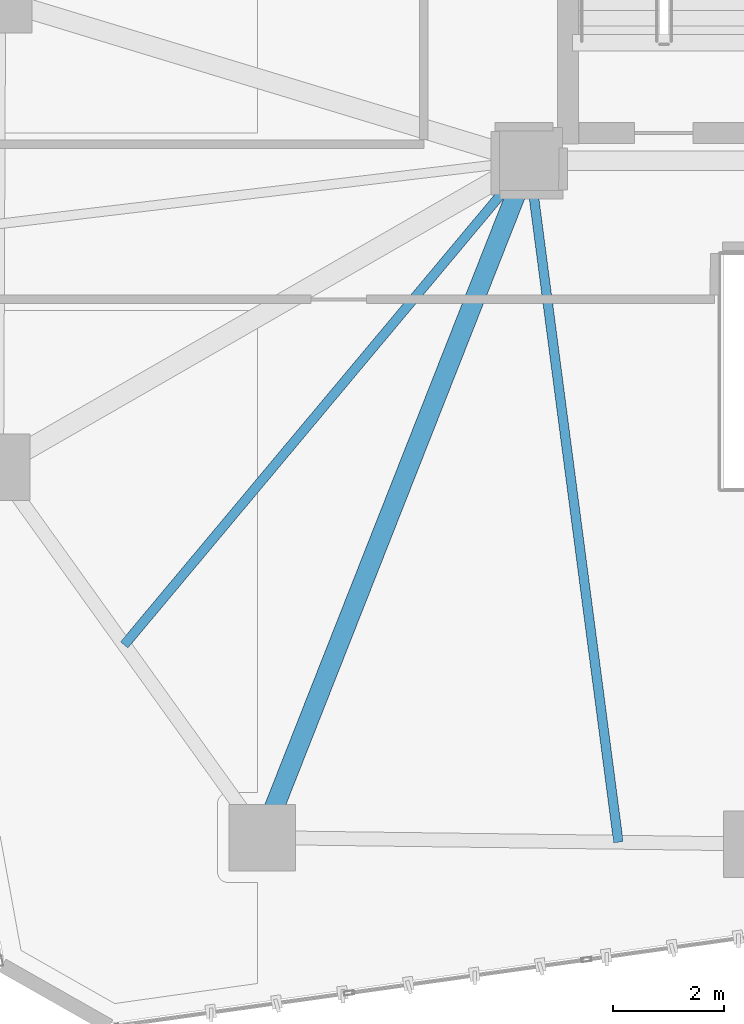
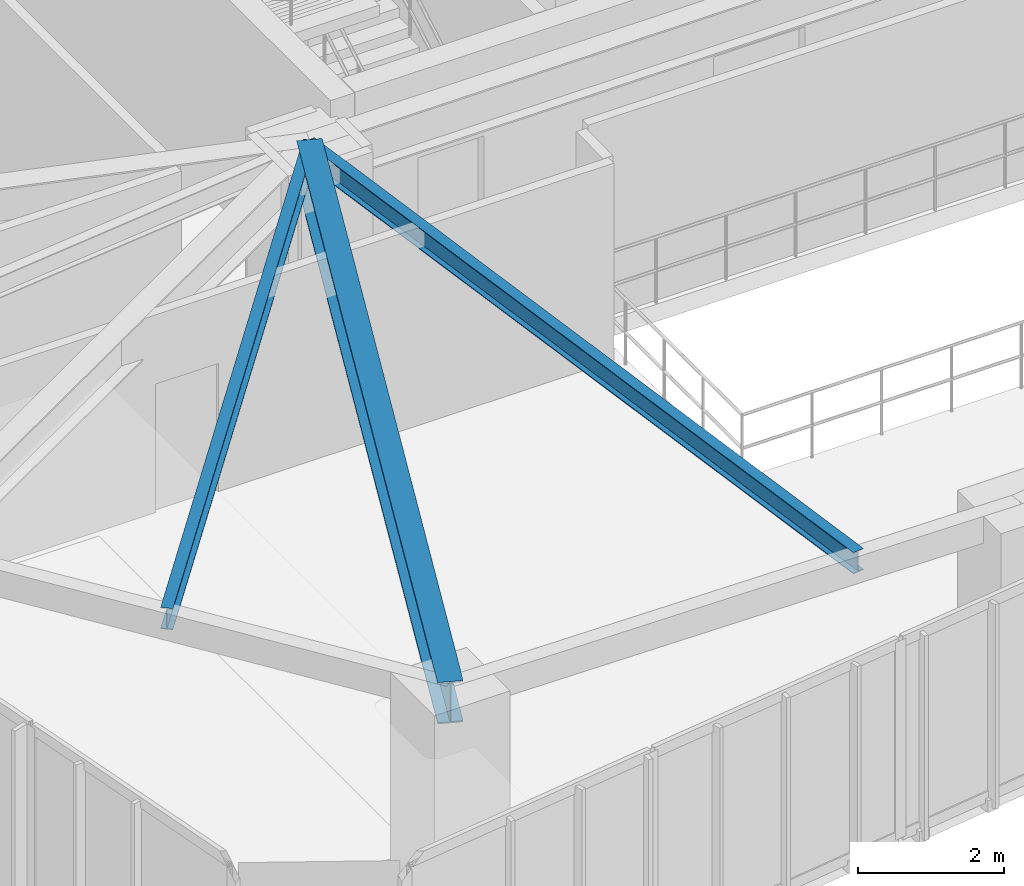
# One storey, part 5 of 24: 3 beams.
"""IFC4 building model written with IfcOpenShell, lengths in metres."""

from ifc_helpers import new_model, si_unit, direction, frame, origin, origin_2d, place, context, subcontext, project, spatial, i_section, extrude, material, material_profile, profile_set, type_object, element, save


model = new_model("IFC4")

# Units and contexts
model_context = context("Model", 3, precision=1e-05, world=origin(), true_north=direction((0.0, 1.0)))
body_context = subcontext(model_context, "Body", "Model", "MODEL_VIEW")
ifc_project = project(units=[si_unit("LENGTHUNIT", "METRE"), si_unit("AREAUNIT", "SQUARE_METRE"), si_unit("VOLUMEUNIT", "CUBIC_METRE"), si_unit("PLANEANGLEUNIT", "RADIAN"), si_unit("MASSUNIT", "GRAM", prefix="KILO")], contexts=[model_context])

# Site, building, storey
site_placement = place(None, origin())
site = spatial("IfcSite", under=ifc_project, at=site_placement, CompositionType="ELEMENT")
building_placement = place(site_placement, origin())
building = spatial("IfcBuilding", under=site, at=building_placement, Name="Talar Marvaseh", CompositionType="ELEMENT")
storey_placement = place(building_placement, frame((0.0, 0.0, 114.60009765625)))
storey = spatial("IfcBuildingStorey", under=building, at=storey_placement, Name="L29", CompositionType="ELEMENT", Elevation=114.60009765625)

# Beams
ifc_material = material(Name="Steel S355", Category="steel")
ifc_material_profile_1 = material_profile(ifc_material, i_section(OverallWidth=0.35498046875, OverallDepth=0.695068359375, WebThickness=0.015380859375, FlangeThickness=0.02490234375, at=origin_2d()), Name="W690x217")
ifc_profile_set_1 = profile_set([ifc_material_profile_1], Name="Steel S355")
beam_type_1 = type_object("IfcBeamType", Name="Zone 2 Radial Floor Girder W690x217", PredefinedType="BEAM", material=ifc_profile_set_1)
beam_1_placement = place(storey_placement, frame((13.89111328125, 13.299072265625, 2.96240234375), z_axis=(0.366683712786, 0.930345664136, 0.0), x_axis=(-0.930345664136, 0.366683712786, 0.0)))
element("IfcBeam", 1, at=beam_1_placement, inside=storey, type_object=beam_type_1, Name="L29 Zone 2 Radial Floor Girder W690x217", PredefinedType="BEAM", context=body_context, shape_type="SweptSolid", body=[
    extrude(i_section(OverallWidth=0.35498046875, OverallDepth=0.695068359375, WebThickness=0.015380859375, FlangeThickness=0.02490234375, at=origin_2d()), origin(), (0.0, 0.0, 1.0), 13.114501953125),
])
ifc_material_profile_2 = material_profile(ifc_material, i_section(OverallWidth=0.172119140625, OverallDepth=0.35791015625, WebThickness=0.0078125, FlangeThickness=0.01318359375, at=origin_2d()), Name="W360x57")
ifc_profile_set_2 = profile_set([ifc_material_profile_2], Name="Steel S355")
beam_type_2 = type_object("IfcBeamType", Name="Zone 2 Secondary Floor Joist W360x57", PredefinedType="JOIST", material=ifc_profile_set_2)
beam_2_placement = place(storey_placement, frame((20.30908203125, 13.215576171875, 3.130859375), z_axis=(-0.129880008292, 0.991529718892, 0.0), x_axis=(-0.991529718892, -0.129880008292, 0.0)))
element("IfcBeam", 2, at=beam_2_placement, inside=storey, type_object=beam_type_2, Name="L29 Zone 2 Secondary Floor Joist W360x57", PredefinedType="JOIST", context=body_context, shape_type="SweptSolid", body=[
    extrude(i_section(OverallWidth=0.172119140625, OverallDepth=0.35791015625, WebThickness=0.0078125, FlangeThickness=0.01318359375, at=origin_2d()), origin(), (0.0, 0.0, 1.0), 12.389404296875),
])
beam_3_placement = place(storey_placement, frame((11.400146484375, 16.771484375, 3.130859375), z_axis=(0.641534082313, 0.767094532135, 0.0), x_axis=(-0.767094532135, 0.641534082313, 0.0)))
element("IfcBeam", 3, at=beam_3_placement, inside=storey, type_object=beam_type_2, Name="L29 Zone 2 Secondary Floor Joist W360x57", PredefinedType="JOIST", context=body_context, shape_type="SweptSolid", body=[
    extrude(i_section(OverallWidth=0.172119140625, OverallDepth=0.35791015625, WebThickness=0.0078125, FlangeThickness=0.01318359375, at=origin_2d()), origin(), (0.0, 0.0, 1.0), 11.378662109375),
])

save(model, "model.ifc")
